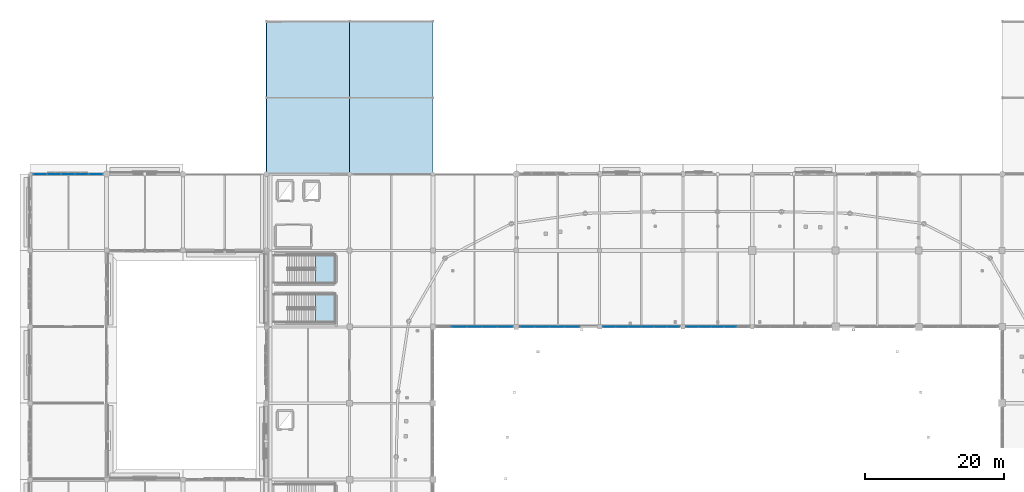
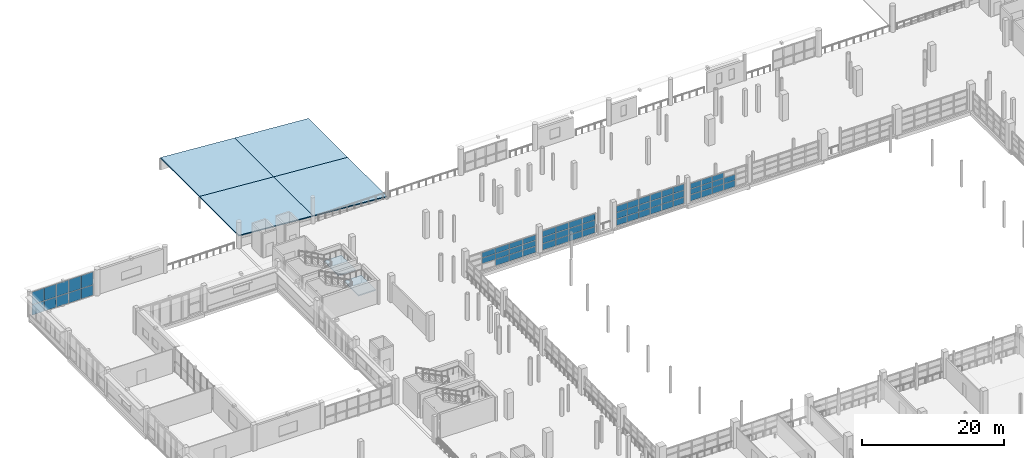
# One storey, part 70 of 118: 62 plates, 6 slabs, 7 elements without a shape of their own.
"""IFC4 building model written with IfcOpenShell, lengths in metres."""

from ifc_helpers import new_model, si_unit, direction, frame, origin, origin_2d, place, context, subcontext, project, spatial, polyline, rectangle, outline, extrude, material, layer, layer_set, type_object, element, aggregate, save


model = new_model("IFC4")

# Units and contexts
model_context = context("Model", 3, precision=1e-05, world=origin(), true_north=direction((0.0, 1.0)))
body_context = subcontext(model_context, "Body", "Model", "MODEL_VIEW")
ifc_project = project(units=[si_unit("LENGTHUNIT", "METRE"), si_unit("AREAUNIT", "SQUARE_METRE"), si_unit("VOLUMEUNIT", "CUBIC_METRE"), si_unit("PLANEANGLEUNIT", "RADIAN"), si_unit("MASSUNIT", "GRAM", prefix="KILO")], contexts=[model_context])

# Site, building, storey
site_placement = place(None, origin())
site = spatial("IfcSite", under=ifc_project, at=site_placement, CompositionType="ELEMENT")
building_placement = place(site_placement, origin())
building = spatial("IfcBuilding", under=site, at=building_placement, Name="Luwafu Chhajja Arena", CompositionType="ELEMENT")
storey_placement = place(building_placement, frame((0.0, 0.0, 10.199951171875)))
storey = spatial("IfcBuildingStorey", under=building, at=storey_placement, Name="L02", CompositionType="ELEMENT", Elevation=10.199951171875)

# Slabs
ifc_material_1 = material(Name="Precast concrete C40/50", Category="concrete")
ifc_layer_1 = layer(ifc_material_1, 0.169921875, Name="Precast concrete C40/50")
ifc_layer_set_1 = layer_set([ifc_layer_1], Name="Precast concrete C40/50")
slab_type_1 = type_object("IfcSlabType", Name="Colonnade Sloped Chhajja Roof Slab 170", PredefinedType="ROOF", material=ifc_layer_set_1)
slab_1_placement = place(storey_placement, frame((34.0, 99.0, 2.050048828125), z_axis=(0.070664378174, 0.0, 0.997500148199), x_axis=(0.0, 1.0, 0.0)))
element("IfcSlab", 1, at=slab_1_placement, inside=storey, type_object=slab_type_1, Name="L02 Charbagh W Cloister Sloped Roof 3/9", PredefinedType="ROOF", context=body_context, shape_type="SweptSolid", body=[
    extrude(outline(polyline([(0.0, 0.0), (11.0, 0.0), (11.0, -12.030073400655615), (0.0, -12.030073400655615), (0.0, 0.0)])), origin(), (0.0, 0.0, -1.0), 0.169921875),
])
slab_2_placement = place(storey_placement, frame((46.0, 99.0, 1.199951171875), z_axis=(0.070644185277, 0.0, 0.997501578488), x_axis=(0.0, 1.0, 0.0)))
element("IfcSlab", 2, at=slab_2_placement, inside=storey, type_object=slab_type_1, Name="L02 Charbagh W Cloister Sloped Roof 4/9", PredefinedType="ROOF", context=body_context, shape_type="SweptSolid", body=[
    extrude(outline(polyline([(0.0, 0.0), (11.0, 0.0), (11.0, -12.030056151075115), (0.0, -12.030056151075115), (0.0, 0.0)])), origin(), (0.0, 0.0, -1.0), 0.169921875),
])
slab_3_placement = place(storey_placement, frame((34.0, 110.0, 2.050048828125), z_axis=(0.070664378174, 0.0, 0.997500148199), x_axis=(0.0, 1.0, 0.0)))
element("IfcSlab", 3, at=slab_3_placement, inside=storey, type_object=slab_type_1, Name="L02 Charbagh W Cloister Sloped Roof 3/10", PredefinedType="ROOF", context=body_context, shape_type="SweptSolid", body=[
    extrude(outline(polyline([(0.0, 0.0), (11.0, 0.0), (11.0, -12.030073400655615), (0.0, -12.030073400655615), (0.0, 0.0)])), origin(), (0.0, 0.0, -1.0), 0.169921875),
])
slab_4_placement = place(storey_placement, frame((46.0, 110.0, 1.199951171875), z_axis=(0.070644185277, 0.0, 0.997501578488), x_axis=(0.0, 1.0, 0.0)))
element("IfcSlab", 4, at=slab_4_placement, inside=storey, type_object=slab_type_1, Name="L02 Charbagh W Cloister Sloped Roof 4/10", PredefinedType="ROOF", context=body_context, shape_type="SweptSolid", body=[
    extrude(outline(polyline([(0.0, 0.0), (11.0, 0.0), (11.0, -12.030056151075115), (0.0, -12.030056151075115), (0.0, 0.0)])), origin(), (0.0, 0.0, -1.0), 0.169921875),
])

# Stair, slab
ifc_material_2 = material(Name="Concrete C35/45", Category="concrete")
stair_type = type_object("IfcStairType", Name="Quadrant Protected Dog-Leg Stair 1920", PredefinedType="HALF_TURN_STAIR", material=ifc_material_2)
stair_1_placement = place(storey_placement, origin())
stair_1 = element("IfcStair", 5, at=stair_1_placement, inside=storey, type_object=stair_type, Name="L02 Protected Escape Stair ST-05", PredefinedType="HALF_TURN_STAIR")
ifc_layer_2 = layer(ifc_material_2, 0.199951171875, Name="Concrete C35/45")
ifc_layer_set_2 = layer_set([ifc_layer_2], Name="Concrete C35/45")
slab_type_2 = type_object("IfcSlabType", Name="Escape Stair Landing Slab 200", PredefinedType="LANDING", material=ifc_layer_set_2)
slab_5_placement = place(storey_placement, frame((0.0, 0.0, 2.050048828125)))
slab_5 = element("IfcSlab", 6, at=slab_5_placement, type_object=slab_type_2, Name="ST-05 landing 1", PredefinedType="LANDING", context=body_context, shape_type="SweptSolid", body=[
    extrude(outline(polyline([(41.10009765625, 77.64990234375), (43.89990234375, 77.64990234375), (43.89990234375, 81.68994140625), (41.10009765625, 81.68994140625), (41.10009765625, 77.64990234375)])), origin(), (0.0, 0.0, 1.0), 0.199951171875),
])
aggregate(stair_1, [slab_5])

stair_2_placement = place(storey_placement, origin())
stair_2 = element("IfcStair", 7, at=stair_2_placement, inside=storey, type_object=stair_type, Name="L02 Protected Escape Stair ST-06", PredefinedType="HALF_TURN_STAIR")
slab_6_placement = place(storey_placement, frame((0.0, 0.0, 2.050048828125)))
slab_6 = element("IfcSlab", 8, at=slab_6_placement, type_object=slab_type_2, Name="ST-06 landing 1", PredefinedType="LANDING", context=body_context, shape_type="SweptSolid", body=[
    extrude(outline(polyline([(41.10009765625, 83.31005859375), (43.89990234375, 83.31005859375), (43.89990234375, 87.35009765625), (41.10009765625, 87.35009765625), (41.10009765625, 83.31005859375)])), origin(), (0.0, 0.0, 1.0), 0.199951171875),
])
aggregate(stair_2, [slab_6])

# Curtain wall, plates
ifc_material_3 = material(Name="Anodised bronze aluminium", Category="aluminium")
curtain_wall_type = type_object("IfcCurtainWallType", Name="Hospitality Ring Curtain Wall", PredefinedType="USERDEFINED", material=ifc_material_3)
curtain_wall_1_placement = place(storey_placement, origin())
curtain_wall_1 = element("IfcCurtainWall", 9, at=curtain_wall_1_placement, inside=storey, type_object=curtain_wall_type, Name="L02 Curtain Wall CWG-L02-H00_09", ObjectType="CURTAIN WALL", PredefinedType="USERDEFINED")
ifc_material_4 = material(Name="Solar-control laminated glass", Category="glass")
ifc_layer_3 = layer(ifc_material_4, 0.028076171875, Name="Solar-control laminated glass")
ifc_layer_set_3 = layer_set([ifc_layer_3], Name="Solar-control laminated glass")
plate_type = type_object("IfcPlateType", Name="Solar Control Double Glazed CW Panel 28", PredefinedType="CURTAIN_PANEL", material=ifc_layer_set_3)
plate_1_placement = place(storey_placement, frame((1.4306640625, 99.0, 0.094970703125), z_axis=(0.0, 0.0, 1.0), x_axis=(1.0, 0.0, 0.0)))
plate_1 = element("IfcPlate", 10, at=plate_1_placement, type_object=plate_type, Name="CW-02 panel 1.1", PredefinedType="CURTAIN_PANEL", context=body_context, shape_type="SweptSolid", body=[
    extrude(rectangle(XDim=1.901611328125, YDim=0.028076171875, at=origin_2d()), origin(), (0.0, 0.0, 1.0), 1.73779296875),
])
plate_2_placement = place(storey_placement, frame((1.4306640625, 99.0, 1.89794921875), z_axis=(0.0, 0.0, 1.0), x_axis=(1.0, 0.0, 0.0)))
plate_2 = element("IfcPlate", 11, at=plate_2_placement, type_object=plate_type, Name="CW-02 panel 1.2", PredefinedType="CURTAIN_PANEL", context=body_context, shape_type="SweptSolid", body=[
    extrude(rectangle(XDim=1.901611328125, YDim=0.028076171875, at=origin_2d()), origin(), (0.0, 0.0, 1.0), 2.18212890625),
])
plate_3_placement = place(storey_placement, frame((3.41357421875, 99.0, 0.094970703125), z_axis=(0.0, 0.0, 1.0), x_axis=(1.0, 0.0, 0.0)))
plate_3 = element("IfcPlate", 12, at=plate_3_placement, type_object=plate_type, Name="CW-02 panel 2.1", PredefinedType="CURTAIN_PANEL", context=body_context, shape_type="SweptSolid", body=[
    extrude(rectangle(XDim=1.93408203125, YDim=0.028076171875, at=origin_2d()), origin(), (0.0, 0.0, 1.0), 1.73779296875),
])
plate_4_placement = place(storey_placement, frame((3.41357421875, 99.0, 1.89794921875), z_axis=(0.0, 0.0, 1.0), x_axis=(1.0, 0.0, 0.0)))
plate_4 = element("IfcPlate", 13, at=plate_4_placement, type_object=plate_type, Name="CW-02 panel 2.2", PredefinedType="CURTAIN_PANEL", context=body_context, shape_type="SweptSolid", body=[
    extrude(rectangle(XDim=1.93408203125, YDim=0.028076171875, at=origin_2d()), origin(), (0.0, 0.0, 1.0), 2.18212890625),
])
plate_5_placement = place(storey_placement, frame((5.41259765625, 99.0, 0.094970703125), z_axis=(0.0, 0.0, 1.0), x_axis=(1.0, 0.0, 0.0)))
plate_5 = element("IfcPlate", 14, at=plate_5_placement, type_object=plate_type, Name="CW-02 panel 3.1", PredefinedType="CURTAIN_PANEL", context=body_context, shape_type="SweptSolid", body=[
    extrude(rectangle(XDim=1.93408203125, YDim=0.028076171875, at=origin_2d()), origin(), (0.0, 0.0, 1.0), 1.73779296875),
])
plate_6_placement = place(storey_placement, frame((5.41259765625, 99.0, 1.89794921875), z_axis=(0.0, 0.0, 1.0), x_axis=(1.0, 0.0, 0.0)))
plate_6 = element("IfcPlate", 15, at=plate_6_placement, type_object=plate_type, Name="CW-02 panel 3.2", PredefinedType="CURTAIN_PANEL", context=body_context, shape_type="SweptSolid", body=[
    extrude(rectangle(XDim=1.93408203125, YDim=0.028076171875, at=origin_2d()), origin(), (0.0, 0.0, 1.0), 2.18212890625),
])
plate_7_placement = place(storey_placement, frame((7.41162109375, 99.0, 0.094970703125), z_axis=(0.0, 0.0, 1.0), x_axis=(1.0, 0.0, 0.0)))
plate_7 = element("IfcPlate", 16, at=plate_7_placement, type_object=plate_type, Name="CW-02 panel 4.1", PredefinedType="CURTAIN_PANEL", context=body_context, shape_type="SweptSolid", body=[
    extrude(rectangle(XDim=1.93408203125, YDim=0.028076171875, at=origin_2d()), origin(), (0.0, 0.0, 1.0), 1.73779296875),
])
plate_8_placement = place(storey_placement, frame((7.41162109375, 99.0, 1.89794921875), z_axis=(0.0, 0.0, 1.0), x_axis=(1.0, 0.0, 0.0)))
plate_8 = element("IfcPlate", 17, at=plate_8_placement, type_object=plate_type, Name="CW-02 panel 4.2", PredefinedType="CURTAIN_PANEL", context=body_context, shape_type="SweptSolid", body=[
    extrude(rectangle(XDim=1.93408203125, YDim=0.028076171875, at=origin_2d()), origin(), (0.0, 0.0, 1.0), 2.18212890625),
])
plate_9_placement = place(storey_placement, frame((9.394287109375, 99.0, 0.094970703125), z_axis=(0.0, 0.0, 1.0), x_axis=(1.0, 0.0, 0.0)))
plate_9 = element("IfcPlate", 18, at=plate_9_placement, type_object=plate_type, Name="CW-02 panel 5.1", PredefinedType="CURTAIN_PANEL", context=body_context, shape_type="SweptSolid", body=[
    extrude(rectangle(XDim=1.901611328125, YDim=0.028076171875, at=origin_2d()), origin(), (0.0, 0.0, 1.0), 1.73779296875),
])
plate_10_placement = place(storey_placement, frame((9.394287109375, 99.0, 1.89794921875), z_axis=(0.0, 0.0, 1.0), x_axis=(1.0, 0.0, 0.0)))
plate_10 = element("IfcPlate", 19, at=plate_10_placement, type_object=plate_type, Name="CW-02 panel 5.2", PredefinedType="CURTAIN_PANEL", context=body_context, shape_type="SweptSolid", body=[
    extrude(rectangle(XDim=1.901611328125, YDim=0.028076171875, at=origin_2d()), origin(), (0.0, 0.0, 1.0), 2.18212890625),
])
aggregate(curtain_wall_1, [plate_1, plate_2, plate_3, plate_4, plate_5, plate_6, plate_7, plate_8, plate_9, plate_10])

curtain_wall_2_placement = place(storey_placement, origin())
curtain_wall_2 = element("IfcCurtainWall", 20, at=curtain_wall_2_placement, inside=storey, type_object=curtain_wall_type, Name="L02 Bowl Viewing Curtain Wall CWR-L02-08", ObjectType="CURTAIN WALL", PredefinedType="USERDEFINED")
plate_11_placement = place(storey_placement, frame((61.8134765625, 77.0, 1.1826171875), z_axis=(0.0, 0.0, 1.0), x_axis=(1.0, 0.0, 0.0)))
plate_11 = element("IfcPlate", 21, at=plate_11_placement, type_object=plate_type, Name="CW-02 panel 2.2", PredefinedType="CURTAIN_PANEL", context=body_context, shape_type="SweptSolid", body=[
    extrude(rectangle(XDim=2.134033203125, YDim=0.028076171875, at=origin_2d()), origin(), (0.0, 0.0, 1.0), 0.929931640625),
])
plate_12_placement = place(storey_placement, frame((61.8134765625, 77.0, 2.177490234375), z_axis=(0.0, 0.0, 1.0), x_axis=(1.0, 0.0, 0.0)))
plate_12 = element("IfcPlate", 22, at=plate_12_placement, type_object=plate_type, Name="CW-02 panel 2.3", PredefinedType="CURTAIN_PANEL", context=body_context, shape_type="SweptSolid", body=[
    extrude(rectangle(XDim=2.134033203125, YDim=0.028076171875, at=origin_2d()), origin(), (0.0, 0.0, 1.0), 0.8974609375),
])
plate_13_placement = place(storey_placement, frame((64.012451171875, 77.0, 0.06494140625), z_axis=(0.0, 0.0, 1.0), x_axis=(1.0, 0.0, 0.0)))
plate_13 = element("IfcPlate", 23, at=plate_13_placement, type_object=plate_type, Name="CW-02 panel 3.1", PredefinedType="CURTAIN_PANEL", context=body_context, shape_type="SweptSolid", body=[
    extrude(rectangle(XDim=2.134033203125, YDim=0.028076171875, at=origin_2d()), origin(), (0.0, 0.0, 1.0), 1.052490234375),
])
plate_14_placement = place(storey_placement, frame((64.012451171875, 77.0, 1.1826171875), z_axis=(0.0, 0.0, 1.0), x_axis=(1.0, 0.0, 0.0)))
plate_14 = element("IfcPlate", 24, at=plate_14_placement, type_object=plate_type, Name="CW-02 panel 3.2", PredefinedType="CURTAIN_PANEL", context=body_context, shape_type="SweptSolid", body=[
    extrude(rectangle(XDim=2.134033203125, YDim=0.028076171875, at=origin_2d()), origin(), (0.0, 0.0, 1.0), 0.929931640625),
])
plate_15_placement = place(storey_placement, frame((64.012451171875, 77.0, 2.177490234375), z_axis=(0.0, 0.0, 1.0), x_axis=(1.0, 0.0, 0.0)))
plate_15 = element("IfcPlate", 25, at=plate_15_placement, type_object=plate_type, Name="CW-02 panel 3.3", PredefinedType="CURTAIN_PANEL", context=body_context, shape_type="SweptSolid", body=[
    extrude(rectangle(XDim=2.134033203125, YDim=0.028076171875, at=origin_2d()), origin(), (0.0, 0.0, 1.0), 0.8974609375),
])
plate_16_placement = place(storey_placement, frame((66.21142578125, 77.0, 0.06494140625), z_axis=(0.0, 0.0, 1.0), x_axis=(1.0, 0.0, 0.0)))
plate_16 = element("IfcPlate", 26, at=plate_16_placement, type_object=plate_type, Name="CW-02 panel 4.1", PredefinedType="CURTAIN_PANEL", context=body_context, shape_type="SweptSolid", body=[
    extrude(rectangle(XDim=2.134033203125, YDim=0.028076171875, at=origin_2d()), origin(), (0.0, 0.0, 1.0), 1.052490234375),
])
plate_17_placement = place(storey_placement, frame((66.21142578125, 77.0, 1.1826171875), z_axis=(0.0, 0.0, 1.0), x_axis=(1.0, 0.0, 0.0)))
plate_17 = element("IfcPlate", 27, at=plate_17_placement, type_object=plate_type, Name="CW-02 panel 4.2", PredefinedType="CURTAIN_PANEL", context=body_context, shape_type="SweptSolid", body=[
    extrude(rectangle(XDim=2.134033203125, YDim=0.028076171875, at=origin_2d()), origin(), (0.0, 0.0, 1.0), 0.929931640625),
])
plate_18_placement = place(storey_placement, frame((66.21142578125, 77.0, 2.177490234375), z_axis=(0.0, 0.0, 1.0), x_axis=(1.0, 0.0, 0.0)))
plate_18 = element("IfcPlate", 28, at=plate_18_placement, type_object=plate_type, Name="CW-02 panel 4.3", PredefinedType="CURTAIN_PANEL", context=body_context, shape_type="SweptSolid", body=[
    extrude(rectangle(XDim=2.134033203125, YDim=0.028076171875, at=origin_2d()), origin(), (0.0, 0.0, 1.0), 0.8974609375),
])
plate_19_placement = place(storey_placement, frame((68.394287109375, 77.0, 0.06494140625), z_axis=(0.0, 0.0, 1.0), x_axis=(1.0, 0.0, 0.0)))
plate_19 = element("IfcPlate", 29, at=plate_19_placement, type_object=plate_type, Name="CW-02 panel 5.1", PredefinedType="CURTAIN_PANEL", context=body_context, shape_type="SweptSolid", body=[
    extrude(rectangle(XDim=2.1015625, YDim=0.028076171875, at=origin_2d()), origin(), (0.0, 0.0, 1.0), 1.052490234375),
])
plate_20_placement = place(storey_placement, frame((68.394287109375, 77.0, 1.1826171875), z_axis=(0.0, 0.0, 1.0), x_axis=(1.0, 0.0, 0.0)))
plate_20 = element("IfcPlate", 30, at=plate_20_placement, type_object=plate_type, Name="CW-02 panel 5.2", PredefinedType="CURTAIN_PANEL", context=body_context, shape_type="SweptSolid", body=[
    extrude(rectangle(XDim=2.1015625, YDim=0.028076171875, at=origin_2d()), origin(), (0.0, 0.0, 1.0), 0.929931640625),
])
plate_21_placement = place(storey_placement, frame((68.394287109375, 77.0, 2.177490234375), z_axis=(0.0, 0.0, 1.0), x_axis=(1.0, 0.0, 0.0)))
plate_21 = element("IfcPlate", 31, at=plate_21_placement, type_object=plate_type, Name="CW-02 panel 5.3", PredefinedType="CURTAIN_PANEL", context=body_context, shape_type="SweptSolid", body=[
    extrude(rectangle(XDim=2.1015625, YDim=0.028076171875, at=origin_2d()), origin(), (0.0, 0.0, 1.0), 0.8974609375),
])
aggregate(curtain_wall_2, [plate_11, plate_12, plate_13, plate_14, plate_15, plate_16, plate_17, plate_18, plate_19, plate_20, plate_21])

curtain_wall_3_placement = place(storey_placement, origin())
curtain_wall_3 = element("IfcCurtainWall", 32, at=curtain_wall_3_placement, inside=storey, type_object=curtain_wall_type, Name="L02 Bowl Viewing Curtain Wall CWR-L02-09", ObjectType="CURTAIN WALL", PredefinedType="USERDEFINED")
plate_22_placement = place(storey_placement, frame((71.586669921875, 77.0, 0.06494140625), z_axis=(0.0, 0.0, 1.0), x_axis=(1.0, 0.0, 0.0)))
plate_22 = element("IfcPlate", 33, at=plate_22_placement, type_object=plate_type, Name="CW-02 panel 1.1", PredefinedType="CURTAIN_PANEL", context=body_context, shape_type="SweptSolid", body=[
    extrude(rectangle(XDim=2.063232421875, YDim=0.028076171875, at=origin_2d()), origin(), (0.0, 0.0, 1.0), 1.052490234375),
])
plate_23_placement = place(storey_placement, frame((71.586669921875, 77.0, 1.1826171875), z_axis=(0.0, 0.0, 1.0), x_axis=(1.0, 0.0, 0.0)))
plate_23 = element("IfcPlate", 34, at=plate_23_placement, type_object=plate_type, Name="CW-02 panel 1.2", PredefinedType="CURTAIN_PANEL", context=body_context, shape_type="SweptSolid", body=[
    extrude(rectangle(XDim=2.063232421875, YDim=0.028076171875, at=origin_2d()), origin(), (0.0, 0.0, 1.0), 1.054931640625),
])
plate_24_placement = place(storey_placement, frame((71.586669921875, 77.0, 2.302490234375), z_axis=(0.0, 0.0, 1.0), x_axis=(1.0, 0.0, 0.0)))
plate_24 = element("IfcPlate", 35, at=plate_24_placement, type_object=plate_type, Name="CW-02 panel 1.3", PredefinedType="CURTAIN_PANEL", context=body_context, shape_type="SweptSolid", body=[
    extrude(rectangle(XDim=2.063232421875, YDim=0.028076171875, at=origin_2d()), origin(), (0.0, 0.0, 1.0), 1.0224609375),
])
plate_25_placement = place(storey_placement, frame((73.731201171875, 77.0, 0.06494140625), z_axis=(0.0, 0.0, 1.0), x_axis=(1.0, 0.0, 0.0)))
plate_25 = element("IfcPlate", 36, at=plate_25_placement, type_object=plate_type, Name="CW-02 panel 2.1", PredefinedType="CURTAIN_PANEL", context=body_context, shape_type="SweptSolid", body=[
    extrude(rectangle(XDim=2.095947265625, YDim=0.028076171875, at=origin_2d()), origin(), (0.0, 0.0, 1.0), 1.052490234375),
])
plate_26_placement = place(storey_placement, frame((73.731201171875, 77.0, 1.1826171875), z_axis=(0.0, 0.0, 1.0), x_axis=(1.0, 0.0, 0.0)))
plate_26 = element("IfcPlate", 37, at=plate_26_placement, type_object=plate_type, Name="CW-02 panel 2.2", PredefinedType="CURTAIN_PANEL", context=body_context, shape_type="SweptSolid", body=[
    extrude(rectangle(XDim=2.095947265625, YDim=0.028076171875, at=origin_2d()), origin(), (0.0, 0.0, 1.0), 1.054931640625),
])
plate_27_placement = place(storey_placement, frame((73.731201171875, 77.0, 2.302490234375), z_axis=(0.0, 0.0, 1.0), x_axis=(1.0, 0.0, 0.0)))
plate_27 = element("IfcPlate", 38, at=plate_27_placement, type_object=plate_type, Name="CW-02 panel 2.3", PredefinedType="CURTAIN_PANEL", context=body_context, shape_type="SweptSolid", body=[
    extrude(rectangle(XDim=2.095947265625, YDim=0.028076171875, at=origin_2d()), origin(), (0.0, 0.0, 1.0), 1.0224609375),
])
plate_28_placement = place(storey_placement, frame((75.89208984375, 77.0, 0.06494140625), z_axis=(0.0, 0.0, 1.0), x_axis=(1.0, 0.0, 0.0)))
plate_28 = element("IfcPlate", 39, at=plate_28_placement, type_object=plate_type, Name="CW-02 panel 3.1", PredefinedType="CURTAIN_PANEL", context=body_context, shape_type="SweptSolid", body=[
    extrude(rectangle(XDim=2.095947265625, YDim=0.028076171875, at=origin_2d()), origin(), (0.0, 0.0, 1.0), 1.052490234375),
])
plate_29_placement = place(storey_placement, frame((75.89208984375, 77.0, 1.1826171875), z_axis=(0.0, 0.0, 1.0), x_axis=(1.0, 0.0, 0.0)))
plate_29 = element("IfcPlate", 40, at=plate_29_placement, type_object=plate_type, Name="CW-02 panel 3.2", PredefinedType="CURTAIN_PANEL", context=body_context, shape_type="SweptSolid", body=[
    extrude(rectangle(XDim=2.095947265625, YDim=0.028076171875, at=origin_2d()), origin(), (0.0, 0.0, 1.0), 1.054931640625),
])
plate_30_placement = place(storey_placement, frame((75.89208984375, 77.0, 2.302490234375), z_axis=(0.0, 0.0, 1.0), x_axis=(1.0, 0.0, 0.0)))
plate_30 = element("IfcPlate", 41, at=plate_30_placement, type_object=plate_type, Name="CW-02 panel 3.3", PredefinedType="CURTAIN_PANEL", context=body_context, shape_type="SweptSolid", body=[
    extrude(rectangle(XDim=2.095947265625, YDim=0.028076171875, at=origin_2d()), origin(), (0.0, 0.0, 1.0), 1.0224609375),
])
plate_31_placement = place(storey_placement, frame((78.03662109375, 77.0, 0.06494140625), z_axis=(0.0, 0.0, 1.0), x_axis=(1.0, 0.0, 0.0)))
plate_31 = element("IfcPlate", 42, at=plate_31_placement, type_object=plate_type, Name="CW-02 panel 4.1", PredefinedType="CURTAIN_PANEL", context=body_context, shape_type="SweptSolid", body=[
    extrude(rectangle(XDim=2.063232421875, YDim=0.028076171875, at=origin_2d()), origin(), (0.0, 0.0, 1.0), 1.052490234375),
])
plate_32_placement = place(storey_placement, frame((78.03662109375, 77.0, 1.1826171875), z_axis=(0.0, 0.0, 1.0), x_axis=(1.0, 0.0, 0.0)))
plate_32 = element("IfcPlate", 43, at=plate_32_placement, type_object=plate_type, Name="CW-02 panel 4.2", PredefinedType="CURTAIN_PANEL", context=body_context, shape_type="SweptSolid", body=[
    extrude(rectangle(XDim=2.063232421875, YDim=0.028076171875, at=origin_2d()), origin(), (0.0, 0.0, 1.0), 1.054931640625),
])
plate_33_placement = place(storey_placement, frame((78.03662109375, 77.0, 2.302490234375), z_axis=(0.0, 0.0, 1.0), x_axis=(1.0, 0.0, 0.0)))
plate_33 = element("IfcPlate", 44, at=plate_33_placement, type_object=plate_type, Name="CW-02 panel 4.3", PredefinedType="CURTAIN_PANEL", context=body_context, shape_type="SweptSolid", body=[
    extrude(rectangle(XDim=2.063232421875, YDim=0.028076171875, at=origin_2d()), origin(), (0.0, 0.0, 1.0), 1.0224609375),
])
aggregate(curtain_wall_3, [plate_22, plate_23, plate_24, plate_25, plate_26, plate_27, plate_28, plate_29, plate_30, plate_31, plate_32, plate_33])

curtain_wall_4_placement = place(storey_placement, origin())
curtain_wall_4 = element("IfcCurtainWall", 45, at=curtain_wall_4_placement, inside=storey, type_object=curtain_wall_type, Name="L02 Bowl Viewing Curtain Wall CWR-L02-10", ObjectType="CURTAIN WALL", PredefinedType="USERDEFINED")
plate_34_placement = place(storey_placement, frame((83.40576171875, 77.0, 0.06494140625), z_axis=(0.0, 0.0, 1.0), x_axis=(1.0, 0.0, 0.0)))
plate_34 = element("IfcPlate", 46, at=plate_34_placement, type_object=plate_type, Name="CW-02 panel 1.1", PredefinedType="CURTAIN_PANEL", context=body_context, shape_type="SweptSolid", body=[
    extrude(rectangle(XDim=1.751708984375, YDim=0.028076171875, at=origin_2d()), origin(), (0.0, 0.0, 1.0), 1.052490234375),
])
plate_35_placement = place(storey_placement, frame((83.40576171875, 77.0, 1.1826171875), z_axis=(0.0, 0.0, 1.0), x_axis=(1.0, 0.0, 0.0)))
plate_35 = element("IfcPlate", 47, at=plate_35_placement, type_object=plate_type, Name="CW-02 panel 1.2", PredefinedType="CURTAIN_PANEL", context=body_context, shape_type="SweptSolid", body=[
    extrude(rectangle(XDim=1.751708984375, YDim=0.028076171875, at=origin_2d()), origin(), (0.0, 0.0, 1.0), 1.094970703125),
])
plate_36_placement = place(storey_placement, frame((83.40576171875, 77.0, 2.34228515625), z_axis=(0.0, 0.0, 1.0), x_axis=(1.0, 0.0, 0.0)))
plate_36 = element("IfcPlate", 48, at=plate_36_placement, type_object=plate_type, Name="CW-02 panel 1.3", PredefinedType="CURTAIN_PANEL", context=body_context, shape_type="SweptSolid", body=[
    extrude(rectangle(XDim=1.751708984375, YDim=0.028076171875, at=origin_2d()), origin(), (0.0, 0.0, 1.0), 1.0625),
])
plate_37_placement = place(storey_placement, frame((85.23876953125, 77.0, 0.06494140625), z_axis=(0.0, 0.0, 1.0), x_axis=(1.0, 0.0, 0.0)))
plate_37 = element("IfcPlate", 49, at=plate_37_placement, type_object=plate_type, Name="CW-02 panel 2.1", PredefinedType="CURTAIN_PANEL", context=body_context, shape_type="SweptSolid", body=[
    extrude(rectangle(XDim=1.7841796875, YDim=0.028076171875, at=origin_2d()), origin(), (0.0, 0.0, 1.0), 1.052490234375),
])
plate_38_placement = place(storey_placement, frame((85.23876953125, 77.0, 1.1826171875), z_axis=(0.0, 0.0, 1.0), x_axis=(1.0, 0.0, 0.0)))
plate_38 = element("IfcPlate", 50, at=plate_38_placement, type_object=plate_type, Name="CW-02 panel 2.2", PredefinedType="CURTAIN_PANEL", context=body_context, shape_type="SweptSolid", body=[
    extrude(rectangle(XDim=1.7841796875, YDim=0.028076171875, at=origin_2d()), origin(), (0.0, 0.0, 1.0), 1.094970703125),
])
plate_39_placement = place(storey_placement, frame((85.23876953125, 77.0, 2.34228515625), z_axis=(0.0, 0.0, 1.0), x_axis=(1.0, 0.0, 0.0)))
plate_39 = element("IfcPlate", 51, at=plate_39_placement, type_object=plate_type, Name="CW-02 panel 2.3", PredefinedType="CURTAIN_PANEL", context=body_context, shape_type="SweptSolid", body=[
    extrude(rectangle(XDim=1.7841796875, YDim=0.028076171875, at=origin_2d()), origin(), (0.0, 0.0, 1.0), 1.0625),
])
plate_40_placement = place(storey_placement, frame((87.087890625, 77.0, 0.06494140625), z_axis=(0.0, 0.0, 1.0), x_axis=(1.0, 0.0, 0.0)))
plate_40 = element("IfcPlate", 52, at=plate_40_placement, type_object=plate_type, Name="CW-02 panel 3.1", PredefinedType="CURTAIN_PANEL", context=body_context, shape_type="SweptSolid", body=[
    extrude(rectangle(XDim=1.7841796875, YDim=0.028076171875, at=origin_2d()), origin(), (0.0, 0.0, 1.0), 1.052490234375),
])
plate_41_placement = place(storey_placement, frame((87.087890625, 77.0, 1.1826171875), z_axis=(0.0, 0.0, 1.0), x_axis=(1.0, 0.0, 0.0)))
plate_41 = element("IfcPlate", 53, at=plate_41_placement, type_object=plate_type, Name="CW-02 panel 3.2", PredefinedType="CURTAIN_PANEL", context=body_context, shape_type="SweptSolid", body=[
    extrude(rectangle(XDim=1.7841796875, YDim=0.028076171875, at=origin_2d()), origin(), (0.0, 0.0, 1.0), 1.094970703125),
])
plate_42_placement = place(storey_placement, frame((87.087890625, 77.0, 2.34228515625), z_axis=(0.0, 0.0, 1.0), x_axis=(1.0, 0.0, 0.0)))
plate_42 = element("IfcPlate", 54, at=plate_42_placement, type_object=plate_type, Name="CW-02 panel 3.3", PredefinedType="CURTAIN_PANEL", context=body_context, shape_type="SweptSolid", body=[
    extrude(rectangle(XDim=1.7841796875, YDim=0.028076171875, at=origin_2d()), origin(), (0.0, 0.0, 1.0), 1.0625),
])
plate_43_placement = place(storey_placement, frame((88.93701171875, 77.0, 0.06494140625), z_axis=(0.0, 0.0, 1.0), x_axis=(1.0, 0.0, 0.0)))
plate_43 = element("IfcPlate", 55, at=plate_43_placement, type_object=plate_type, Name="CW-02 panel 4.1", PredefinedType="CURTAIN_PANEL", context=body_context, shape_type="SweptSolid", body=[
    extrude(rectangle(XDim=1.7841796875, YDim=0.028076171875, at=origin_2d()), origin(), (0.0, 0.0, 1.0), 1.052490234375),
])
plate_44_placement = place(storey_placement, frame((88.93701171875, 77.0, 1.1826171875), z_axis=(0.0, 0.0, 1.0), x_axis=(1.0, 0.0, 0.0)))
plate_44 = element("IfcPlate", 56, at=plate_44_placement, type_object=plate_type, Name="CW-02 panel 4.2", PredefinedType="CURTAIN_PANEL", context=body_context, shape_type="SweptSolid", body=[
    extrude(rectangle(XDim=1.7841796875, YDim=0.028076171875, at=origin_2d()), origin(), (0.0, 0.0, 1.0), 1.094970703125),
])
plate_45_placement = place(storey_placement, frame((88.93701171875, 77.0, 2.34228515625), z_axis=(0.0, 0.0, 1.0), x_axis=(1.0, 0.0, 0.0)))
plate_45 = element("IfcPlate", 57, at=plate_45_placement, type_object=plate_type, Name="CW-02 panel 4.3", PredefinedType="CURTAIN_PANEL", context=body_context, shape_type="SweptSolid", body=[
    extrude(rectangle(XDim=1.7841796875, YDim=0.028076171875, at=origin_2d()), origin(), (0.0, 0.0, 1.0), 1.0625),
])
plate_46_placement = place(storey_placement, frame((90.7861328125, 77.0, 0.06494140625), z_axis=(0.0, 0.0, 1.0), x_axis=(1.0, 0.0, 0.0)))
plate_46 = element("IfcPlate", 58, at=plate_46_placement, type_object=plate_type, Name="CW-02 panel 5.1", PredefinedType="CURTAIN_PANEL", context=body_context, shape_type="SweptSolid", body=[
    extrude(rectangle(XDim=1.7841796875, YDim=0.028076171875, at=origin_2d()), origin(), (0.0, 0.0, 1.0), 1.052490234375),
])
plate_47_placement = place(storey_placement, frame((90.7861328125, 77.0, 1.1826171875), z_axis=(0.0, 0.0, 1.0), x_axis=(1.0, 0.0, 0.0)))
plate_47 = element("IfcPlate", 59, at=plate_47_placement, type_object=plate_type, Name="CW-02 panel 5.2", PredefinedType="CURTAIN_PANEL", context=body_context, shape_type="SweptSolid", body=[
    extrude(rectangle(XDim=1.7841796875, YDim=0.028076171875, at=origin_2d()), origin(), (0.0, 0.0, 1.0), 1.094970703125),
])
plate_48_placement = place(storey_placement, frame((90.7861328125, 77.0, 2.34228515625), z_axis=(0.0, 0.0, 1.0), x_axis=(1.0, 0.0, 0.0)))
plate_48 = element("IfcPlate", 60, at=plate_48_placement, type_object=plate_type, Name="CW-02 panel 5.3", PredefinedType="CURTAIN_PANEL", context=body_context, shape_type="SweptSolid", body=[
    extrude(rectangle(XDim=1.7841796875, YDim=0.028076171875, at=origin_2d()), origin(), (0.0, 0.0, 1.0), 1.0625),
])
plate_49_placement = place(storey_placement, frame((92.619140625, 77.0, 0.06494140625), z_axis=(0.0, 0.0, 1.0), x_axis=(1.0, 0.0, 0.0)))
plate_49 = element("IfcPlate", 61, at=plate_49_placement, type_object=plate_type, Name="CW-02 panel 6.1", PredefinedType="CURTAIN_PANEL", context=body_context, shape_type="SweptSolid", body=[
    extrude(rectangle(XDim=1.751708984375, YDim=0.028076171875, at=origin_2d()), origin(), (0.0, 0.0, 1.0), 1.052490234375),
])
plate_50_placement = place(storey_placement, frame((92.619140625, 77.0, 1.1826171875), z_axis=(0.0, 0.0, 1.0), x_axis=(1.0, 0.0, 0.0)))
plate_50 = element("IfcPlate", 62, at=plate_50_placement, type_object=plate_type, Name="CW-02 panel 6.2", PredefinedType="CURTAIN_PANEL", context=body_context, shape_type="SweptSolid", body=[
    extrude(rectangle(XDim=1.751708984375, YDim=0.028076171875, at=origin_2d()), origin(), (0.0, 0.0, 1.0), 1.094970703125),
])
plate_51_placement = place(storey_placement, frame((92.619140625, 77.0, 2.34228515625), z_axis=(0.0, 0.0, 1.0), x_axis=(1.0, 0.0, 0.0)))
plate_51 = element("IfcPlate", 63, at=plate_51_placement, type_object=plate_type, Name="CW-02 panel 6.3", PredefinedType="CURTAIN_PANEL", context=body_context, shape_type="SweptSolid", body=[
    extrude(rectangle(XDim=1.751708984375, YDim=0.028076171875, at=origin_2d()), origin(), (0.0, 0.0, 1.0), 1.0625),
])
aggregate(curtain_wall_4, [plate_34, plate_35, plate_36, plate_37, plate_38, plate_39, plate_40, plate_41, plate_42, plate_43, plate_44, plate_45, plate_46, plate_47, plate_48, plate_49, plate_50, plate_51])

curtain_wall_5_placement = place(storey_placement, origin())
curtain_wall_5 = element("IfcCurtainWall", 64, at=curtain_wall_5_placement, inside=storey, type_object=curtain_wall_type, Name="L02 Bowl Viewing Curtain Wall CWR-L02-11", ObjectType="CURTAIN WALL", PredefinedType="USERDEFINED")
plate_52_placement = place(storey_placement, frame((95.370849609375, 77.0, 0.06494140625), z_axis=(0.0, 0.0, 1.0), x_axis=(1.0, 0.0, 0.0)))
plate_52 = element("IfcPlate", 65, at=plate_52_placement, type_object=plate_type, Name="CW-02 panel 1.1", PredefinedType="CURTAIN_PANEL", context=body_context, shape_type="SweptSolid", body=[
    extrude(rectangle(XDim=1.7314453125, YDim=0.028076171875, at=origin_2d()), origin(), (0.0, 0.0, 1.0), 1.052490234375),
])
plate_53_placement = place(storey_placement, frame((95.370849609375, 77.0, 1.1826171875), z_axis=(0.0, 0.0, 1.0), x_axis=(1.0, 0.0, 0.0)))
plate_53 = element("IfcPlate", 66, at=plate_53_placement, type_object=plate_type, Name="CW-02 panel 1.2", PredefinedType="CURTAIN_PANEL", context=body_context, shape_type="SweptSolid", body=[
    extrude(rectangle(XDim=1.7314453125, YDim=0.028076171875, at=origin_2d()), origin(), (0.0, 0.0, 1.0), 0.929931640625),
])
plate_54_placement = place(storey_placement, frame((95.370849609375, 77.0, 2.177490234375), z_axis=(0.0, 0.0, 1.0), x_axis=(1.0, 0.0, 0.0)))
plate_54 = element("IfcPlate", 67, at=plate_54_placement, type_object=plate_type, Name="CW-02 panel 1.3", PredefinedType="CURTAIN_PANEL", context=body_context, shape_type="SweptSolid", body=[
    extrude(rectangle(XDim=1.7314453125, YDim=0.028076171875, at=origin_2d()), origin(), (0.0, 0.0, 1.0), 0.8974609375),
])
plate_55_placement = place(storey_placement, frame((97.18359375, 77.0, 0.06494140625), z_axis=(0.0, 0.0, 1.0), x_axis=(1.0, 0.0, 0.0)))
plate_55 = element("IfcPlate", 68, at=plate_55_placement, type_object=plate_type, Name="CW-02 panel 2.1", PredefinedType="CURTAIN_PANEL", context=body_context, shape_type="SweptSolid", body=[
    extrude(rectangle(XDim=1.763916015625, YDim=0.028076171875, at=origin_2d()), origin(), (0.0, 0.0, 1.0), 1.052490234375),
])
plate_56_placement = place(storey_placement, frame((97.18359375, 77.0, 1.1826171875), z_axis=(0.0, 0.0, 1.0), x_axis=(1.0, 0.0, 0.0)))
plate_56 = element("IfcPlate", 69, at=plate_56_placement, type_object=plate_type, Name="CW-02 panel 2.2", PredefinedType="CURTAIN_PANEL", context=body_context, shape_type="SweptSolid", body=[
    extrude(rectangle(XDim=1.763916015625, YDim=0.028076171875, at=origin_2d()), origin(), (0.0, 0.0, 1.0), 0.929931640625),
])
plate_57_placement = place(storey_placement, frame((97.18359375, 77.0, 2.177490234375), z_axis=(0.0, 0.0, 1.0), x_axis=(1.0, 0.0, 0.0)))
plate_57 = element("IfcPlate", 70, at=plate_57_placement, type_object=plate_type, Name="CW-02 panel 2.3", PredefinedType="CURTAIN_PANEL", context=body_context, shape_type="SweptSolid", body=[
    extrude(rectangle(XDim=1.763916015625, YDim=0.028076171875, at=origin_2d()), origin(), (0.0, 0.0, 1.0), 0.8974609375),
])
plate_58_placement = place(storey_placement, frame((99.012451171875, 77.0, 0.06494140625), z_axis=(0.0, 0.0, 1.0), x_axis=(1.0, 0.0, 0.0)))
plate_58 = element("IfcPlate", 71, at=plate_58_placement, type_object=plate_type, Name="CW-02 panel 3.1", PredefinedType="CURTAIN_PANEL", context=body_context, shape_type="SweptSolid", body=[
    extrude(rectangle(XDim=1.763916015625, YDim=0.028076171875, at=origin_2d()), origin(), (0.0, 0.0, 1.0), 1.052490234375),
])
plate_59_placement = place(storey_placement, frame((99.012451171875, 77.0, 1.1826171875), z_axis=(0.0, 0.0, 1.0), x_axis=(1.0, 0.0, 0.0)))
plate_59 = element("IfcPlate", 72, at=plate_59_placement, type_object=plate_type, Name="CW-02 panel 3.2", PredefinedType="CURTAIN_PANEL", context=body_context, shape_type="SweptSolid", body=[
    extrude(rectangle(XDim=1.763916015625, YDim=0.028076171875, at=origin_2d()), origin(), (0.0, 0.0, 1.0), 0.929931640625),
])
plate_60_placement = place(storey_placement, frame((99.012451171875, 77.0, 2.177490234375), z_axis=(0.0, 0.0, 1.0), x_axis=(1.0, 0.0, 0.0)))
plate_60 = element("IfcPlate", 73, at=plate_60_placement, type_object=plate_type, Name="CW-02 panel 3.3", PredefinedType="CURTAIN_PANEL", context=body_context, shape_type="SweptSolid", body=[
    extrude(rectangle(XDim=1.763916015625, YDim=0.028076171875, at=origin_2d()), origin(), (0.0, 0.0, 1.0), 0.8974609375),
])
plate_61_placement = place(storey_placement, frame((100.841552734375, 77.0, 0.06494140625), z_axis=(0.0, 0.0, 1.0), x_axis=(1.0, 0.0, 0.0)))
plate_61 = element("IfcPlate", 74, at=plate_61_placement, type_object=plate_type, Name="CW-02 panel 4.1", PredefinedType="CURTAIN_PANEL", context=body_context, shape_type="SweptSolid", body=[
    extrude(rectangle(XDim=1.763916015625, YDim=0.028076171875, at=origin_2d()), origin(), (0.0, 0.0, 1.0), 1.052490234375),
])
plate_62_placement = place(storey_placement, frame((100.841552734375, 77.0, 1.1826171875), z_axis=(0.0, 0.0, 1.0), x_axis=(1.0, 0.0, 0.0)))
plate_62 = element("IfcPlate", 75, at=plate_62_placement, type_object=plate_type, Name="CW-02 panel 4.2", PredefinedType="CURTAIN_PANEL", context=body_context, shape_type="SweptSolid", body=[
    extrude(rectangle(XDim=1.763916015625, YDim=0.028076171875, at=origin_2d()), origin(), (0.0, 0.0, 1.0), 0.929931640625),
])
aggregate(curtain_wall_5, [plate_52, plate_53, plate_54, plate_55, plate_56, plate_57, plate_58, plate_59, plate_60, plate_61, plate_62])

save(model, "model.ifc")
